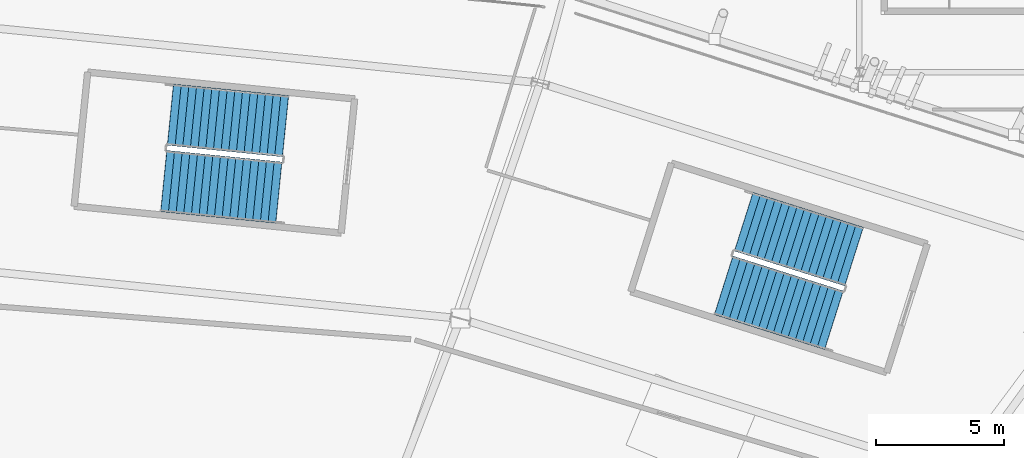
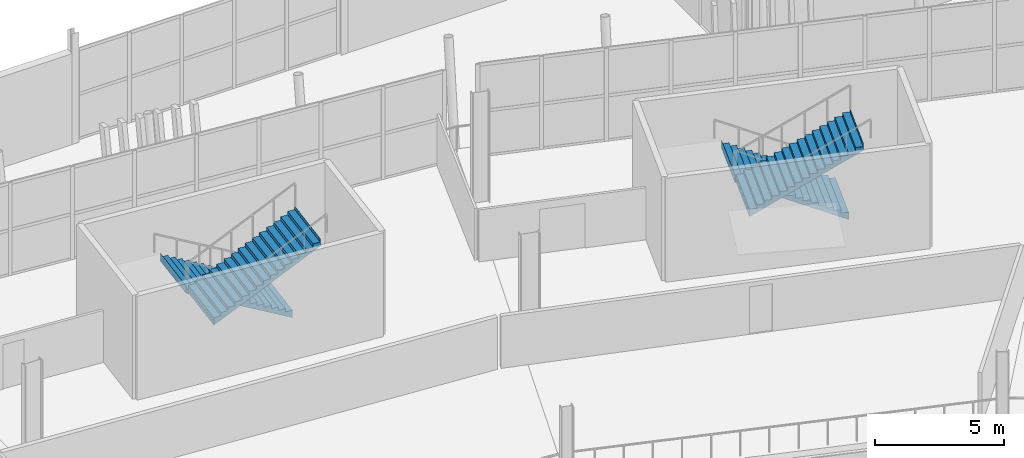
# One storey, part 131 of 168: 4 stair flights, 2 elements without a shape of their own.
"""IFC4 building model written with IfcOpenShell, lengths in metres."""

from ifc_helpers import new_model, si_unit, direction, frame, origin, place, context, subcontext, project, spatial, polyline, outline, extrude, material, type_object, element, aggregate, save


model = new_model("IFC4")

# Units and contexts
model_context = context("Model", 3, precision=1e-05, world=origin(), true_north=direction((0.0, 1.0)))
body_context = subcontext(model_context, "Body", "Model", "MODEL_VIEW")
ifc_project = project(units=[si_unit("LENGTHUNIT", "METRE"), si_unit("AREAUNIT", "SQUARE_METRE"), si_unit("VOLUMEUNIT", "CUBIC_METRE"), si_unit("PLANEANGLEUNIT", "RADIAN"), si_unit("MASSUNIT", "GRAM", prefix="KILO")], contexts=[model_context])

# Site, building, storey
site_placement = place(None, origin())
site = spatial("IfcSite", under=ifc_project, at=site_placement, CompositionType="ELEMENT")
building_placement = place(site_placement, origin())
building = spatial("IfcBuilding", under=site, at=building_placement, Name="Zlatoyarsky Gate Stadium", CompositionType="ELEMENT")
storey_placement = place(building_placement, frame((0.0, 0.0, 15.60009765625)))
storey = spatial("IfcBuildingStorey", under=building, at=storey_placement, Name="L03", CompositionType="ELEMENT", Elevation=15.60009765625)

# Stair, stair flights
ifc_material = material(Name="Concrete C40/50", Category="concrete")
stair_type = type_object("IfcStairType", Name="CONCRETE DOGLEG EXIT STAIR H5200", PredefinedType="TWO_STRAIGHT_RUN_STAIR", material=ifc_material)
stair_1_placement = place(storey_placement, origin())
stair_1 = element("IfcStair", 1, at=stair_1_placement, inside=storey, type_object=stair_type, Name="L03 Exit Stair ST-03", PredefinedType="TWO_STRAIGHT_RUN_STAIR")
stair_flight_type = type_object("IfcStairFlightType", Name="CONCRETE STAIR FLIGHT 2400 H5200", PredefinedType="STRAIGHT", material=ifc_material)
stair_flight_1_placement = place(storey_placement, frame((147.29150390625, 141.820068359375, 0.0), z_axis=(0.0, 0.0, 1.0), x_axis=(-0.953463118711, 0.301509670257, 0.0)))
stair_flight_1 = element("IfcStairFlight", 2, at=stair_flight_1_placement, type_object=stair_flight_type, Name="ST-DG52 flight 1", NumberOfRisers=16, NumberOfTreads=15, PredefinedType="STRAIGHT", RiserHeight=0.1625, TreadLength=0.3, context=body_context, shape_type="SweptSolid", body=[
    extrude(outline(polyline([(-0.006103515625, -0.193359375), (-0.006103515625, 0.0), (0.0, 0.0), (0.0, 0.16259765625), (0.300048828125, 0.16259765625), (0.300048828125, 0.324951171875), (0.60009765625, 0.324951171875), (0.60009765625, 0.487548828125), (0.89990234375, 0.487548828125), (0.89990234375, 0.64990234375), (1.199951171875, 0.64990234375), (1.199951171875, 0.8125), (1.5, 0.8125), (1.5, 0.97509765625), (1.800048828125, 0.97509765625), (1.800048828125, 1.137451171875), (2.10009765625, 1.137451171875), (2.10009765625, 1.300048828125), (2.39990234375, 1.300048828125), (2.39990234375, 1.46240234375), (2.699951171875, 1.46240234375), (2.699951171875, 1.625), (3.0, 1.625), (3.0, 1.78759765625), (3.300048828125, 1.78759765625), (3.300048828125, 1.949951171875), (3.60009765625, 1.949951171875), (3.60009765625, 2.112548828125), (3.89990234375, 2.112548828125), (3.89990234375, 2.27490234375), (4.199951171875, 2.27490234375), (4.199951171875, 2.4375), (4.5, 2.4375), (4.5, 2.60009765625), (4.506103515625, 2.60009765625), (4.506103515625, 2.244140625), (4.5, 2.244140625), (-0.006103515625, -0.193359375)])), frame((0.0, 1.199951171875, 0.0), z_axis=(0.0, -1.0, 0.0), x_axis=(1.0, 0.0, 0.0)), (0.0, 0.0, 1.0), 2.39990234375),
])
stair_flight_2_placement = place(storey_placement, frame((142.217041015625, 140.69775390625, 2.599853515625), z_axis=(0.0, 0.0, 1.0), x_axis=(0.953463118711, -0.301509670257, 0.0)))
stair_flight_2 = element("IfcStairFlight", 3, at=stair_flight_2_placement, type_object=stair_flight_type, Name="ST-DG52 flight 2", NumberOfRisers=16, NumberOfTreads=15, PredefinedType="STRAIGHT", RiserHeight=0.1625, TreadLength=0.3, context=body_context, shape_type="SweptSolid", body=[
    extrude(outline(polyline([(-0.006103515625, -0.193359375), (-0.006103515625, 0.0), (0.0, 0.0), (0.0, 0.16259765625), (0.300048828125, 0.16259765625), (0.300048828125, 0.324951171875), (0.60009765625, 0.324951171875), (0.60009765625, 0.487548828125), (0.89990234375, 0.487548828125), (0.89990234375, 0.64990234375), (1.199951171875, 0.64990234375), (1.199951171875, 0.8125), (1.5, 0.8125), (1.5, 0.97509765625), (1.800048828125, 0.97509765625), (1.800048828125, 1.137451171875), (2.10009765625, 1.137451171875), (2.10009765625, 1.300048828125), (2.39990234375, 1.300048828125), (2.39990234375, 1.46240234375), (2.699951171875, 1.46240234375), (2.699951171875, 1.625), (3.0, 1.625), (3.0, 1.78759765625), (3.300048828125, 1.78759765625), (3.300048828125, 1.949951171875), (3.60009765625, 1.949951171875), (3.60009765625, 2.112548828125), (3.89990234375, 2.112548828125), (3.89990234375, 2.27490234375), (4.199951171875, 2.27490234375), (4.199951171875, 2.4375), (4.5, 2.4375), (4.5, 2.60009765625), (4.506103515625, 2.60009765625), (4.506103515625, 2.244140625), (4.5, 2.244140625), (-0.006103515625, -0.193359375)])), frame((0.0, 1.199951171875, 0.0), z_axis=(0.0, -1.0, 0.0), x_axis=(1.0, 0.0, 0.0)), (0.0, 0.0, 1.0), 2.39990234375),
])
aggregate(stair_1, [stair_flight_1, stair_flight_2])

stair_2_placement = place(storey_placement, origin())
stair_2 = element("IfcStair", 4, at=stair_2_placement, inside=storey, type_object=stair_type, Name="L03 Exit Stair ST-17", PredefinedType="TWO_STRAIGHT_RUN_STAIR")
stair_flight_3_placement = place(storey_placement, frame((125.149658203125, 146.896728515625, 0.0), z_axis=(0.0, 0.0, 1.0), x_axis=(-0.994986861964, 0.100005722426, 0.0)))
stair_flight_3 = element("IfcStairFlight", 5, at=stair_flight_3_placement, type_object=stair_flight_type, Name="ST-DG52 flight 1", NumberOfRisers=16, NumberOfTreads=15, PredefinedType="STRAIGHT", RiserHeight=0.1625, TreadLength=0.3, context=body_context, shape_type="SweptSolid", body=[
    extrude(outline(polyline([(-0.006103515625, -0.193359375), (-0.006103515625, 0.0), (0.0, 0.0), (0.0, 0.16259765625), (0.300048828125, 0.16259765625), (0.300048828125, 0.324951171875), (0.60009765625, 0.324951171875), (0.60009765625, 0.487548828125), (0.89990234375, 0.487548828125), (0.89990234375, 0.64990234375), (1.199951171875, 0.64990234375), (1.199951171875, 0.8125), (1.5, 0.8125), (1.5, 0.97509765625), (1.800048828125, 0.97509765625), (1.800048828125, 1.137451171875), (2.10009765625, 1.137451171875), (2.10009765625, 1.300048828125), (2.39990234375, 1.300048828125), (2.39990234375, 1.46240234375), (2.699951171875, 1.46240234375), (2.699951171875, 1.625), (3.0, 1.625), (3.0, 1.78759765625), (3.300048828125, 1.78759765625), (3.300048828125, 1.949951171875), (3.60009765625, 1.949951171875), (3.60009765625, 2.112548828125), (3.89990234375, 2.112548828125), (3.89990234375, 2.27490234375), (4.199951171875, 2.27490234375), (4.199951171875, 2.4375), (4.5, 2.4375), (4.5, 2.60009765625), (4.506103515625, 2.60009765625), (4.506103515625, 2.244140625), (4.5, 2.244140625), (-0.006103515625, -0.193359375)])), frame((0.0, 1.199951171875, 0.0), z_axis=(0.0, -1.0, 0.0), x_axis=(1.0, 0.0, 0.0)), (0.0, 0.0, 1.0), 2.39990234375),
])
stair_flight_4_placement = place(storey_placement, frame((120.412109375, 144.760009765625, 2.599853515625), z_axis=(0.0, 0.0, 1.0), x_axis=(0.994986861964, -0.100005722426, 0.0)))
stair_flight_4 = element("IfcStairFlight", 6, at=stair_flight_4_placement, type_object=stair_flight_type, Name="ST-DG52 flight 2", NumberOfRisers=16, NumberOfTreads=15, PredefinedType="STRAIGHT", RiserHeight=0.1625, TreadLength=0.3, context=body_context, shape_type="SweptSolid", body=[
    extrude(outline(polyline([(-0.006103515625, -0.193359375), (-0.006103515625, 0.0), (0.0, 0.0), (0.0, 0.16259765625), (0.300048828125, 0.16259765625), (0.300048828125, 0.324951171875), (0.60009765625, 0.324951171875), (0.60009765625, 0.487548828125), (0.89990234375, 0.487548828125), (0.89990234375, 0.64990234375), (1.199951171875, 0.64990234375), (1.199951171875, 0.8125), (1.5, 0.8125), (1.5, 0.97509765625), (1.800048828125, 0.97509765625), (1.800048828125, 1.137451171875), (2.10009765625, 1.137451171875), (2.10009765625, 1.300048828125), (2.39990234375, 1.300048828125), (2.39990234375, 1.46240234375), (2.699951171875, 1.46240234375), (2.699951171875, 1.625), (3.0, 1.625), (3.0, 1.78759765625), (3.300048828125, 1.78759765625), (3.300048828125, 1.949951171875), (3.60009765625, 1.949951171875), (3.60009765625, 2.112548828125), (3.89990234375, 2.112548828125), (3.89990234375, 2.27490234375), (4.199951171875, 2.27490234375), (4.199951171875, 2.4375), (4.5, 2.4375), (4.5, 2.60009765625), (4.506103515625, 2.60009765625), (4.506103515625, 2.244140625), (4.5, 2.244140625), (-0.006103515625, -0.193359375)])), frame((0.0, 1.199951171875, 0.0), z_axis=(0.0, -1.0, 0.0), x_axis=(1.0, 0.0, 0.0)), (0.0, 0.0, 1.0), 2.39990234375),
])
aggregate(stair_2, [stair_flight_3, stair_flight_4])

save(model, "model.ifc")
